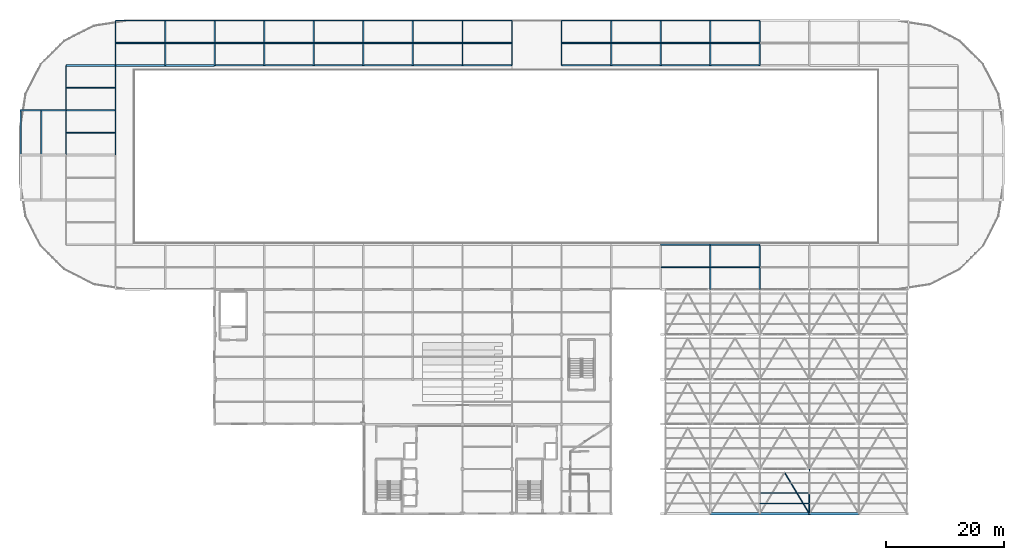
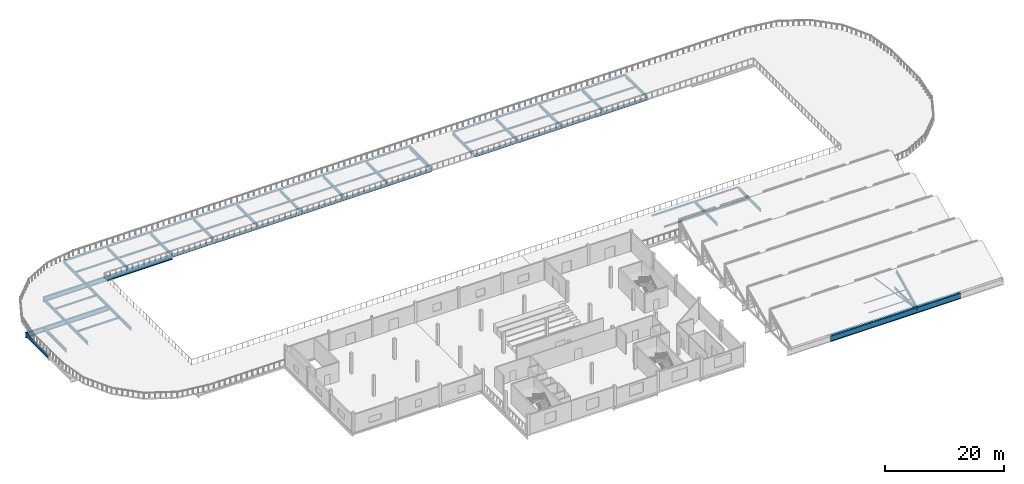
# One storey, part 21 of 57: 67 beams, 5 members.
"""IFC4 building model written with IfcOpenShell, lengths in metres."""

from ifc_helpers import new_model, si_unit, direction, frame, origin, origin_2d, place, context, subcontext, project, spatial, hollow_rectangle, hollow_circle, i_section, extrude, material, material_profile, profile_set, type_object, element, save


model = new_model("IFC4")

# Units and contexts
model_context = context("Model", 3, precision=1e-05, world=origin(), true_north=direction((0.0, 1.0)))
body_context = subcontext(model_context, "Body", "Model", "MODEL_VIEW")
ifc_project = project(units=[si_unit("LENGTHUNIT", "METRE"), si_unit("AREAUNIT", "SQUARE_METRE"), si_unit("VOLUMEUNIT", "CUBIC_METRE"), si_unit("PLANEANGLEUNIT", "RADIAN"), si_unit("MASSUNIT", "GRAM", prefix="KILO")], contexts=[model_context])

# Site, building, storey
site_placement = place(None, origin())
site = spatial("IfcSite", under=ifc_project, at=site_placement, CompositionType="ELEMENT")
building_placement = place(site_placement, origin())
building = spatial("IfcBuilding", under=site, at=building_placement, Name="Zuvorla Pavilion Media Centre", CompositionType="ELEMENT")
storey_placement = place(building_placement, frame((0.0, 0.0, 18.0)))
storey = spatial("IfcBuildingStorey", under=building, at=storey_placement, Name="L04", CompositionType="ELEMENT", Elevation=18.0)

# Beams
ifc_material = material(Name="Steel S355", Category="steel")
ifc_material_profile_1 = material_profile(ifc_material, i_section(OverallWidth=0.360107421875, OverallDepth=1.199951171875, WebThickness=0.02001953125, FlangeThickness=0.0380859375, FilletRadius=0.02392578125, at=origin_2d()), Name="PG 1200x360x38")
ifc_profile_set_1 = profile_set([ifc_material_profile_1], Name="Steel S355")
beam_type_1 = type_object("IfcBeamType", Name="BM-PG1200", PredefinedType="BEAM", material=ifc_profile_set_1)
beam_1_placement = place(storey_placement, frame((125.60009765625, 6.0, -0.887939453125), z_axis=(1.0, 0.0, 0.0), x_axis=(0.0, 1.0, 0.0)))
element("IfcBeam", 1, at=beam_1_placement, inside=storey, type_object=beam_type_1, Name="L04 beam B01 1815", PredefinedType="BEAM", context=body_context, shape_type="SweptSolid", body=[
    extrude(i_section(OverallWidth=0.360107421875, OverallDepth=1.199951171875, WebThickness=0.02001953125, FlangeThickness=0.0380859375, FilletRadius=0.02392578125, at=origin_2d()), origin(), (0.0, 0.0, 1.0), 25.199951171875),
])
ifc_material_profile_2 = material_profile(ifc_material, hollow_rectangle(XDim=0.199951171875, YDim=0.300048828125, WallThickness=0.012451171875, at=origin_2d()), Name="RHS 300x200x12.5")
ifc_profile_set_2 = profile_set([ifc_material_profile_2], Name="Steel S355")
beam_type_2 = type_object("IfcBeamType", Name="BM-SP-RHS300", PredefinedType="SPANDREL", material=ifc_profile_set_2)
beam_2_placement = place(storey_placement, frame((117.199951171875, 51.60009765625, -0.39794921875), z_axis=(1.0, 0.0, 0.0), x_axis=(0.0, 1.0, 0.0)))
element("IfcBeam", 2, at=beam_2_placement, inside=storey, type_object=beam_type_2, Name="L04 spandrel SP01 1346", PredefinedType="SPANDREL", context=body_context, shape_type="SweptSolid", body=[
    extrude(hollow_rectangle(XDim=0.199951171875, YDim=0.300048828125, WallThickness=0.012451171875, at=origin_2d()), origin(), (0.0, 0.0, 1.0), 8.400146484375),
])
for number, where, z_axis, x_axis, name in (
    (3, (125.60009765625, 51.60009765625, -0.39794921875), (1.0, 0.0, 0.0), (0.0, 1.0, 0.0), "L04 spandrel SP01 1347"),
    (4, (24.800048828125, 89.60009765625, -0.39794921875), (1.0, 0.0, 0.0), (0.0, 1.0, 0.0), "L04 spandrel SP01 1375"),
):
    element("IfcBeam", number, at=place(storey_placement, frame(where, z_axis=z_axis, x_axis=x_axis)), inside=storey, type_object=beam_type_2, Name=name, PredefinedType="SPANDREL", context=body_context, shape_type="SweptSolid", body=[
        extrude(hollow_rectangle(XDim=0.199951171875, YDim=0.300048828125, WallThickness=0.012451171875, at=origin_2d()), origin(), (0.0, 0.0, 1.0), 8.39990234375),
    ])
beam_3_placement = place(storey_placement, frame((33.199951171875, 89.60009765625, -0.39794921875), z_axis=(1.0, 0.0, 0.0), x_axis=(0.0, 1.0, 0.0)))
element("IfcBeam", 5, at=beam_3_placement, inside=storey, type_object=beam_type_2, Name="L04 spandrel SP01 1376", PredefinedType="SPANDREL", context=body_context, shape_type="SweptSolid", body=[
    extrude(hollow_rectangle(XDim=0.199951171875, YDim=0.300048828125, WallThickness=0.012451171875, at=origin_2d()), origin(), (0.0, 0.0, 1.0), 8.400146484375),
])
for number, where, z_axis, x_axis, name in (
    (6, (41.60009765625, 89.60009765625, -0.39794921875), (1.0, 0.0, 0.0), (0.0, 1.0, 0.0), "L04 spandrel SP01 1377"),
    (7, (50.0, 89.60009765625, -0.39794921875), (1.0, 0.0, 0.0), (0.0, 1.0, 0.0), "L04 spandrel SP01 1378"),
):
    element("IfcBeam", number, at=place(storey_placement, frame(where, z_axis=z_axis, x_axis=x_axis)), inside=storey, type_object=beam_type_2, Name=name, PredefinedType="SPANDREL", context=body_context, shape_type="SweptSolid", body=[
        extrude(hollow_rectangle(XDim=0.199951171875, YDim=0.300048828125, WallThickness=0.012451171875, at=origin_2d()), origin(), (0.0, 0.0, 1.0), 8.39990234375),
    ])
beam_4_placement = place(storey_placement, frame((58.39990234375, 89.60009765625, -0.39794921875), z_axis=(1.0, 0.0, 0.0), x_axis=(0.0, 1.0, 0.0)))
element("IfcBeam", 8, at=beam_4_placement, inside=storey, type_object=beam_type_2, Name="L04 spandrel SP01 1379", PredefinedType="SPANDREL", context=body_context, shape_type="SweptSolid", body=[
    extrude(hollow_rectangle(XDim=0.199951171875, YDim=0.300048828125, WallThickness=0.012451171875, at=origin_2d()), origin(), (0.0, 0.0, 1.0), 8.400146484375),
])
beam_5_placement = place(storey_placement, frame((66.800048828125, 89.60009765625, -0.39794921875), z_axis=(1.0, 0.0, 0.0), x_axis=(0.0, 1.0, 0.0)))
element("IfcBeam", 9, at=beam_5_placement, inside=storey, type_object=beam_type_2, Name="L04 spandrel SP01 1380", PredefinedType="SPANDREL", context=body_context, shape_type="SweptSolid", body=[
    extrude(hollow_rectangle(XDim=0.199951171875, YDim=0.300048828125, WallThickness=0.012451171875, at=origin_2d()), origin(), (0.0, 0.0, 1.0), 8.39990234375),
])
beam_6_placement = place(storey_placement, frame((75.199951171875, 89.60009765625, -0.39794921875), z_axis=(1.0, 0.0, 0.0), x_axis=(0.0, 1.0, 0.0)))
element("IfcBeam", 10, at=beam_6_placement, inside=storey, type_object=beam_type_2, Name="L04 spandrel SP01 1381", PredefinedType="SPANDREL", context=body_context, shape_type="SweptSolid", body=[
    extrude(hollow_rectangle(XDim=0.199951171875, YDim=0.300048828125, WallThickness=0.012451171875, at=origin_2d()), origin(), (0.0, 0.0, 1.0), 8.400146484375),
])
beam_7_placement = place(storey_placement, frame((83.60009765625, 89.60009765625, -0.39794921875), z_axis=(1.0, 0.0, 0.0), x_axis=(0.0, 1.0, 0.0)))
element("IfcBeam", 11, at=beam_7_placement, inside=storey, type_object=beam_type_2, Name="L04 spandrel SP01 1382", PredefinedType="SPANDREL", context=body_context, shape_type="SweptSolid", body=[
    extrude(hollow_rectangle(XDim=0.199951171875, YDim=0.300048828125, WallThickness=0.012451171875, at=origin_2d()), origin(), (0.0, 0.0, 1.0), 8.39990234375),
])
beam_8_placement = place(storey_placement, frame((100.39990234375, 89.60009765625, -0.39794921875), z_axis=(1.0, 0.0, 0.0), x_axis=(0.0, 1.0, 0.0)))
element("IfcBeam", 12, at=beam_8_placement, inside=storey, type_object=beam_type_2, Name="L04 spandrel SP01 1383", PredefinedType="SPANDREL", context=body_context, shape_type="SweptSolid", body=[
    extrude(hollow_rectangle(XDim=0.199951171875, YDim=0.300048828125, WallThickness=0.012451171875, at=origin_2d()), origin(), (0.0, 0.0, 1.0), 8.400146484375),
])
beam_9_placement = place(storey_placement, frame((108.800048828125, 89.60009765625, -0.39794921875), z_axis=(1.0, 0.0, 0.0), x_axis=(0.0, 1.0, 0.0)))
element("IfcBeam", 13, at=beam_9_placement, inside=storey, type_object=beam_type_2, Name="L04 spandrel SP01 1384", PredefinedType="SPANDREL", context=body_context, shape_type="SweptSolid", body=[
    extrude(hollow_rectangle(XDim=0.199951171875, YDim=0.300048828125, WallThickness=0.012451171875, at=origin_2d()), origin(), (0.0, 0.0, 1.0), 8.39990234375),
])
beam_10_placement = place(storey_placement, frame((117.199951171875, 89.60009765625, -0.39794921875), z_axis=(1.0, 0.0, 0.0), x_axis=(0.0, 1.0, 0.0)))
element("IfcBeam", 14, at=beam_10_placement, inside=storey, type_object=beam_type_2, Name="L04 spandrel SP01 1385", PredefinedType="SPANDREL", context=body_context, shape_type="SweptSolid", body=[
    extrude(hollow_rectangle(XDim=0.199951171875, YDim=0.300048828125, WallThickness=0.012451171875, at=origin_2d()), origin(), (0.0, 0.0, 1.0), 8.400146484375),
])
beam_11_placement = place(storey_placement, frame((125.60009765625, 89.60009765625, -0.39794921875), z_axis=(1.0, 0.0, 0.0), x_axis=(0.0, 1.0, 0.0)))
element("IfcBeam", 15, at=beam_11_placement, inside=storey, type_object=beam_type_2, Name="L04 spandrel SP01 1386", PredefinedType="SPANDREL", context=body_context, shape_type="SweptSolid", body=[
    extrude(hollow_rectangle(XDim=0.199951171875, YDim=0.300048828125, WallThickness=0.012451171875, at=origin_2d()), origin(), (0.0, 0.0, 1.0), 8.39990234375),
])
ifc_material_profile_3 = material_profile(ifc_material, i_section(OverallWidth=0.302001953125, OverallDepth=1.008056640625, WebThickness=0.02099609375, FlangeThickness=0.0400390625, FilletRadius=0.030029296875, at=origin_2d()), Name="UB 1016x305x349")
ifc_profile_set_3 = profile_set([ifc_material_profile_3], Name="Steel S355")
beam_type_3 = type_object("IfcBeamType", Name="BM-UB1016", PredefinedType="BEAM", material=ifc_profile_set_3)
beam_12_placement = place(storey_placement, frame((41.60009765625, 82.0, -0.751953125), z_axis=(-1.0, 0.0, 0.0), x_axis=(0.0, -1.0, 0.0)))
element("IfcBeam", 16, at=beam_12_placement, inside=storey, type_object=beam_type_3, Name="L04 beam B02 1723", PredefinedType="BEAM", context=body_context, shape_type="SweptSolid", body=[
    extrude(i_section(OverallWidth=0.302001953125, OverallDepth=1.008056640625, WebThickness=0.02099609375, FlangeThickness=0.0400390625, FilletRadius=0.030029296875, at=origin_2d()), origin(), (0.0, 0.0, 1.0), 25.2001953125),
])
beam_13_placement = place(storey_placement, frame((24.800048828125, 74.39990234375, -0.751953125), z_axis=(-1.0, 0.0, 0.0), x_axis=(0.0, -1.0, 0.0)))
element("IfcBeam", 17, at=beam_13_placement, inside=storey, type_object=beam_type_3, Name="L04 beam B02 1737", PredefinedType="BEAM", context=body_context, shape_type="SweptSolid", body=[
    extrude(i_section(OverallWidth=0.302001953125, OverallDepth=1.008056640625, WebThickness=0.02099609375, FlangeThickness=0.0400390625, FilletRadius=0.030029296875, at=origin_2d()), origin(), (0.0, 0.0, 1.0), 8.400146484375),
])
beam_14_placement = place(storey_placement, frame((16.39990234375, 74.39990234375, -0.751953125), z_axis=(-1.0, 0.0, 0.0), x_axis=(0.0, -1.0, 0.0)))
element("IfcBeam", 18, at=beam_14_placement, inside=storey, type_object=beam_type_3, Name="L04 beam B02 1738", PredefinedType="BEAM", context=body_context, shape_type="SweptSolid", body=[
    extrude(i_section(OverallWidth=0.302001953125, OverallDepth=1.008056640625, WebThickness=0.02099609375, FlangeThickness=0.0400390625, FilletRadius=0.030029296875, at=origin_2d()), origin(), (0.0, 0.0, 1.0), 4.199951171875),
])
beam_15_placement = place(storey_placement, frame((12.199951171875, 74.39990234375, -0.751953125), z_axis=(-1.0, 0.0, 0.0), x_axis=(0.0, -1.0, 0.0)))
element("IfcBeam", 19, at=beam_15_placement, inside=storey, type_object=beam_type_3, Name="L04 beam B02 1739", PredefinedType="BEAM", context=body_context, shape_type="SweptSolid", body=[
    extrude(i_section(OverallWidth=0.302001953125, OverallDepth=1.008056640625, WebThickness=0.02099609375, FlangeThickness=0.0400390625, FilletRadius=0.030029296875, at=origin_2d()), origin(), (0.0, 0.0, 1.0), 3.599853515625),
])
ifc_material_profile_4 = material_profile(ifc_material, i_section(OverallWidth=0.172119140625, OverallDepth=0.35791015625, WebThickness=0.008056640625, FlangeThickness=0.012939453125, FilletRadius=0.01025390625, at=origin_2d()), Name="UB 356x171x57")
ifc_profile_set_4 = profile_set([ifc_material_profile_4], Name="Steel S355")
beam_type_4 = type_object("IfcBeamType", Name="BM-UB356", PredefinedType="JOIST", material=ifc_profile_set_4)
for number, where, z_axis, x_axis, name in (
    (20, (16.509521484375, 70.60009765625, -0.427001953125), (1.0, 0.0, 0.0), (0.0, 1.0, 0.0), "L04 joist J03 1478"),
    (21, (16.509521484375, 78.199951171875, -0.427001953125), (1.0, 0.0, 0.0), (0.0, 1.0, 0.0), "L04 joist J03 1479"),
):
    element("IfcBeam", number, at=place(storey_placement, frame(where, z_axis=z_axis, x_axis=x_axis)), inside=storey, type_object=beam_type_4, Name=name, PredefinedType="JOIST", context=body_context, shape_type="SweptSolid", body=[
        extrude(i_section(OverallWidth=0.172119140625, OverallDepth=0.35791015625, WebThickness=0.008056640625, FlangeThickness=0.012939453125, FilletRadius=0.01025390625, at=origin_2d()), origin(), (0.0, 0.0, 1.0), 8.180908203125),
    ])
beam_16_placement = place(storey_placement, frame((24.909423828125, 85.800048828125, -0.427001953125), z_axis=(1.0, 0.0, 0.0), x_axis=(0.0, 1.0, 0.0)))
element("IfcBeam", 22, at=beam_16_placement, inside=storey, type_object=beam_type_4, Name="L04 joist J03 1481", PredefinedType="JOIST", context=body_context, shape_type="SweptSolid", body=[
    extrude(i_section(OverallWidth=0.172119140625, OverallDepth=0.35791015625, WebThickness=0.008056640625, FlangeThickness=0.012939453125, FilletRadius=0.01025390625, at=origin_2d()), origin(), (0.0, 0.0, 1.0), 8.18115234375),
])
for number, where, z_axis, x_axis, name in (
    (23, (33.3095703125, 85.800048828125, -0.427001953125), (1.0, 0.0, 0.0), (0.0, 1.0, 0.0), "L04 joist J03 1483"),
    (24, (41.70947265625, 85.800048828125, -0.427001953125), (1.0, 0.0, 0.0), (0.0, 1.0, 0.0), "L04 joist J03 1487"),
    (25, (50.109619140625, 85.800048828125, -0.427001953125), (1.0, 0.0, 0.0), (0.0, 1.0, 0.0), "L04 joist J03 1492"),
    (26, (58.509521484375, 85.800048828125, -0.427001953125), (1.0, 0.0, 0.0), (0.0, 1.0, 0.0), "L04 joist J03 1497"),
):
    element("IfcBeam", number, at=place(storey_placement, frame(where, z_axis=z_axis, x_axis=x_axis)), inside=storey, type_object=beam_type_4, Name=name, PredefinedType="JOIST", context=body_context, shape_type="SweptSolid", body=[
        extrude(i_section(OverallWidth=0.172119140625, OverallDepth=0.35791015625, WebThickness=0.008056640625, FlangeThickness=0.012939453125, FilletRadius=0.01025390625, at=origin_2d()), origin(), (0.0, 0.0, 1.0), 8.180908203125),
    ])
beam_17_placement = place(storey_placement, frame((66.909423828125, 85.800048828125, -0.427001953125), z_axis=(1.0, 0.0, 0.0), x_axis=(0.0, 1.0, 0.0)))
element("IfcBeam", 27, at=beam_17_placement, inside=storey, type_object=beam_type_4, Name="L04 joist J03 1501", PredefinedType="JOIST", context=body_context, shape_type="SweptSolid", body=[
    extrude(i_section(OverallWidth=0.172119140625, OverallDepth=0.35791015625, WebThickness=0.008056640625, FlangeThickness=0.012939453125, FilletRadius=0.01025390625, at=origin_2d()), origin(), (0.0, 0.0, 1.0), 8.18115234375),
])
for number, where, z_axis, x_axis, name in (
    (28, (75.3095703125, 85.800048828125, -0.427001953125), (1.0, 0.0, 0.0), (0.0, 1.0, 0.0), "L04 joist J03 1505"),
    (29, (83.70947265625, 85.800048828125, -0.427001953125), (1.0, 0.0, 0.0), (0.0, 1.0, 0.0), "L04 joist J03 1512"),
    (30, (100.509521484375, 85.800048828125, -0.427001953125), (1.0, 0.0, 0.0), (0.0, 1.0, 0.0), "L04 joist J03 1522"),
):
    element("IfcBeam", number, at=place(storey_placement, frame(where, z_axis=z_axis, x_axis=x_axis)), inside=storey, type_object=beam_type_4, Name=name, PredefinedType="JOIST", context=body_context, shape_type="SweptSolid", body=[
        extrude(i_section(OverallWidth=0.172119140625, OverallDepth=0.35791015625, WebThickness=0.008056640625, FlangeThickness=0.012939453125, FilletRadius=0.01025390625, at=origin_2d()), origin(), (0.0, 0.0, 1.0), 8.180908203125),
    ])
beam_18_placement = place(storey_placement, frame((108.909423828125, 85.800048828125, -0.427001953125), z_axis=(1.0, 0.0, 0.0), x_axis=(0.0, 1.0, 0.0)))
element("IfcBeam", 31, at=beam_18_placement, inside=storey, type_object=beam_type_4, Name="L04 joist J03 1524", PredefinedType="JOIST", context=body_context, shape_type="SweptSolid", body=[
    extrude(i_section(OverallWidth=0.172119140625, OverallDepth=0.35791015625, WebThickness=0.008056640625, FlangeThickness=0.012939453125, FilletRadius=0.01025390625, at=origin_2d()), origin(), (0.0, 0.0, 1.0), 8.18115234375),
])
for number, where, z_axis, x_axis, name in (
    (32, (117.3095703125, 47.800048828125, -0.427001953125), (1.0, 0.0, 0.0), (0.0, 1.0, 0.0), "L04 joist J03 1525"),
    (33, (117.3095703125, 85.800048828125, -0.427001953125), (1.0, 0.0, 0.0), (0.0, 1.0, 0.0), "L04 joist J03 1526"),
    (34, (125.70947265625, 47.800048828125, -0.427001953125), (1.0, 0.0, 0.0), (0.0, 1.0, 0.0), "L04 joist J03 1527"),
    (35, (125.70947265625, 85.800048828125, -0.427001953125), (1.0, 0.0, 0.0), (0.0, 1.0, 0.0), "L04 joist J03 1528"),
):
    element("IfcBeam", number, at=place(storey_placement, frame(where, z_axis=z_axis, x_axis=x_axis)), inside=storey, type_object=beam_type_4, Name=name, PredefinedType="JOIST", context=body_context, shape_type="SweptSolid", body=[
        extrude(i_section(OverallWidth=0.172119140625, OverallDepth=0.35791015625, WebThickness=0.008056640625, FlangeThickness=0.012939453125, FilletRadius=0.01025390625, at=origin_2d()), origin(), (0.0, 0.0, 1.0), 8.180908203125),
    ])
ifc_material_profile_5 = material_profile(ifc_material, i_section(OverallWidth=0.22900390625, OverallDepth=0.6123046875, WebThickness=0.011962890625, FlangeThickness=0.01953125, FilletRadius=0.0126953125, at=origin_2d()), Name="UB 610x229x125")
ifc_profile_set_5 = profile_set([ifc_material_profile_5], Name="Steel S355")
beam_type_5 = type_object("IfcBeamType", Name="BM-UB610", PredefinedType="BEAM", material=ifc_profile_set_5)
for number, where, z_axis, x_axis, name in (
    (36, (41.60009765625, 82.0, -0.55419921875), (1.0, 0.0, 0.0), (0.0, 1.0, 0.0), "L04 beam B07 1361"),
    (37, (50.0, 82.0, -0.55419921875), (1.0, 0.0, 0.0), (0.0, 1.0, 0.0), "L04 beam B07 1362"),
):
    element("IfcBeam", number, at=place(storey_placement, frame(where, z_axis=z_axis, x_axis=x_axis)), inside=storey, type_object=beam_type_5, Name=name, PredefinedType="BEAM", context=body_context, shape_type="SweptSolid", body=[
        extrude(i_section(OverallWidth=0.22900390625, OverallDepth=0.6123046875, WebThickness=0.011962890625, FlangeThickness=0.01953125, FilletRadius=0.0126953125, at=origin_2d()), origin(), (0.0, 0.0, 1.0), 8.39990234375),
    ])
beam_19_placement = place(storey_placement, frame((58.39990234375, 82.0, -0.55419921875), z_axis=(1.0, 0.0, 0.0), x_axis=(0.0, 1.0, 0.0)))
element("IfcBeam", 38, at=beam_19_placement, inside=storey, type_object=beam_type_5, Name="L04 beam B07 1363", PredefinedType="BEAM", context=body_context, shape_type="SweptSolid", body=[
    extrude(i_section(OverallWidth=0.22900390625, OverallDepth=0.6123046875, WebThickness=0.011962890625, FlangeThickness=0.01953125, FilletRadius=0.0126953125, at=origin_2d()), origin(), (0.0, 0.0, 1.0), 8.400146484375),
])
beam_20_placement = place(storey_placement, frame((66.800048828125, 82.0, -0.55419921875), z_axis=(1.0, 0.0, 0.0), x_axis=(0.0, 1.0, 0.0)))
element("IfcBeam", 39, at=beam_20_placement, inside=storey, type_object=beam_type_5, Name="L04 beam B07 1364", PredefinedType="BEAM", context=body_context, shape_type="SweptSolid", body=[
    extrude(i_section(OverallWidth=0.22900390625, OverallDepth=0.6123046875, WebThickness=0.011962890625, FlangeThickness=0.01953125, FilletRadius=0.0126953125, at=origin_2d()), origin(), (0.0, 0.0, 1.0), 8.39990234375),
])
beam_21_placement = place(storey_placement, frame((75.199951171875, 82.0, -0.55419921875), z_axis=(1.0, 0.0, 0.0), x_axis=(0.0, 1.0, 0.0)))
element("IfcBeam", 40, at=beam_21_placement, inside=storey, type_object=beam_type_5, Name="L04 beam B07 1365", PredefinedType="BEAM", context=body_context, shape_type="SweptSolid", body=[
    extrude(i_section(OverallWidth=0.22900390625, OverallDepth=0.6123046875, WebThickness=0.011962890625, FlangeThickness=0.01953125, FilletRadius=0.0126953125, at=origin_2d()), origin(), (0.0, 0.0, 1.0), 8.400146484375),
])
beam_22_placement = place(storey_placement, frame((83.60009765625, 82.0, -0.55419921875), z_axis=(1.0, 0.0, 0.0), x_axis=(0.0, 1.0, 0.0)))
element("IfcBeam", 41, at=beam_22_placement, inside=storey, type_object=beam_type_5, Name="L04 beam B07 1366", PredefinedType="BEAM", context=body_context, shape_type="SweptSolid", body=[
    extrude(i_section(OverallWidth=0.22900390625, OverallDepth=0.6123046875, WebThickness=0.011962890625, FlangeThickness=0.01953125, FilletRadius=0.0126953125, at=origin_2d()), origin(), (0.0, 0.0, 1.0), 8.39990234375),
])
beam_23_placement = place(storey_placement, frame((100.39990234375, 82.0, -0.55419921875), z_axis=(1.0, 0.0, 0.0), x_axis=(0.0, 1.0, 0.0)))
element("IfcBeam", 42, at=beam_23_placement, inside=storey, type_object=beam_type_5, Name="L04 beam B07 1367", PredefinedType="BEAM", context=body_context, shape_type="SweptSolid", body=[
    extrude(i_section(OverallWidth=0.22900390625, OverallDepth=0.6123046875, WebThickness=0.011962890625, FlangeThickness=0.01953125, FilletRadius=0.0126953125, at=origin_2d()), origin(), (0.0, 0.0, 1.0), 8.400146484375),
])
beam_24_placement = place(storey_placement, frame((108.800048828125, 82.0, -0.55419921875), z_axis=(1.0, 0.0, 0.0), x_axis=(0.0, 1.0, 0.0)))
element("IfcBeam", 43, at=beam_24_placement, inside=storey, type_object=beam_type_5, Name="L04 beam B07 1368", PredefinedType="BEAM", context=body_context, shape_type="SweptSolid", body=[
    extrude(i_section(OverallWidth=0.22900390625, OverallDepth=0.6123046875, WebThickness=0.011962890625, FlangeThickness=0.01953125, FilletRadius=0.0126953125, at=origin_2d()), origin(), (0.0, 0.0, 1.0), 8.39990234375),
])
beam_25_placement = place(storey_placement, frame((117.199951171875, 82.0, -0.55419921875), z_axis=(1.0, 0.0, 0.0), x_axis=(0.0, 1.0, 0.0)))
element("IfcBeam", 44, at=beam_25_placement, inside=storey, type_object=beam_type_5, Name="L04 beam B07 1369", PredefinedType="BEAM", context=body_context, shape_type="SweptSolid", body=[
    extrude(i_section(OverallWidth=0.22900390625, OverallDepth=0.6123046875, WebThickness=0.011962890625, FlangeThickness=0.01953125, FilletRadius=0.0126953125, at=origin_2d()), origin(), (0.0, 0.0, 1.0), 8.400146484375),
])
beam_26_placement = place(storey_placement, frame((125.60009765625, 82.0, -0.55419921875), z_axis=(1.0, 0.0, 0.0), x_axis=(0.0, 1.0, 0.0)))
element("IfcBeam", 45, at=beam_26_placement, inside=storey, type_object=beam_type_5, Name="L04 beam B07 1370", PredefinedType="BEAM", context=body_context, shape_type="SweptSolid", body=[
    extrude(i_section(OverallWidth=0.22900390625, OverallDepth=0.6123046875, WebThickness=0.011962890625, FlangeThickness=0.01953125, FilletRadius=0.0126953125, at=origin_2d()), origin(), (0.0, 0.0, 1.0), 8.39990234375),
])
beam_27_placement = place(storey_placement, frame((16.39990234375, 66.800048828125, -0.55419921875), z_axis=(0.0, 1.0, 0.0), x_axis=(-1.0, 0.0, 0.0)))
element("IfcBeam", 46, at=beam_27_placement, inside=storey, type_object=beam_type_5, Name="L04 beam B07 1392", PredefinedType="BEAM", context=body_context, shape_type="SweptSolid", body=[
    extrude(i_section(OverallWidth=0.22900390625, OverallDepth=0.6123046875, WebThickness=0.011962890625, FlangeThickness=0.01953125, FilletRadius=0.0126953125, at=origin_2d()), origin(), (0.0, 0.0, 1.0), 7.599853515625),
])
beam_28_placement = place(storey_placement, frame((16.39990234375, 74.39990234375, -0.55419921875), z_axis=(0.0, 1.0, 0.0), x_axis=(-1.0, 0.0, 0.0)))
element("IfcBeam", 47, at=beam_28_placement, inside=storey, type_object=beam_type_5, Name="L04 beam B07 1393", PredefinedType="BEAM", context=body_context, shape_type="SweptSolid", body=[
    extrude(i_section(OverallWidth=0.22900390625, OverallDepth=0.6123046875, WebThickness=0.011962890625, FlangeThickness=0.01953125, FilletRadius=0.0126953125, at=origin_2d()), origin(), (0.0, 0.0, 1.0), 7.60009765625),
])
beam_29_placement = place(storey_placement, frame((24.800048828125, 66.800048828125, -0.55419921875), z_axis=(0.0, 1.0, 0.0), x_axis=(-1.0, 0.0, 0.0)))
element("IfcBeam", 48, at=beam_29_placement, inside=storey, type_object=beam_type_5, Name="L04 beam B07 1397", PredefinedType="BEAM", context=body_context, shape_type="SweptSolid", body=[
    extrude(i_section(OverallWidth=0.22900390625, OverallDepth=0.6123046875, WebThickness=0.011962890625, FlangeThickness=0.01953125, FilletRadius=0.0126953125, at=origin_2d()), origin(), (0.0, 0.0, 1.0), 7.599853515625),
])
for number, where, z_axis, x_axis, name in (
    (49, (24.800048828125, 74.39990234375, -0.55419921875), (0.0, 1.0, 0.0), (-1.0, 0.0, 0.0), "L04 beam B07 1398"),
    (50, (24.800048828125, 82.0, -0.55419921875), (0.0, 1.0, 0.0), (-1.0, 0.0, 0.0), "L04 beam B07 1399"),
    (51, (33.199951171875, 82.0, -0.55419921875), (0.0, 1.0, 0.0), (-1.0, 0.0, 0.0), "L04 beam B07 1401"),
    (52, (41.60009765625, 82.0, -0.55419921875), (0.0, 1.0, 0.0), (-1.0, 0.0, 0.0), "L04 beam B07 1406"),
    (53, (50.0, 82.0, -0.55419921875), (0.0, 1.0, 0.0), (-1.0, 0.0, 0.0), "L04 beam B07 1411"),
    (54, (58.39990234375, 82.0, -0.55419921875), (0.0, 1.0, 0.0), (-1.0, 0.0, 0.0), "L04 beam B07 1416"),
    (55, (66.800048828125, 82.0, -0.55419921875), (0.0, 1.0, 0.0), (-1.0, 0.0, 0.0), "L04 beam B07 1423"),
    (56, (75.199951171875, 82.0, -0.55419921875), (0.0, 1.0, 0.0), (-1.0, 0.0, 0.0), "L04 beam B07 1427"),
    (57, (83.60009765625, 82.0, -0.55419921875), (0.0, 1.0, 0.0), (-1.0, 0.0, 0.0), "L04 beam B07 1434"),
    (58, (92.0, 82.0, -0.55419921875), (0.0, 1.0, 0.0), (-1.0, 0.0, 0.0), "L04 beam B07 1441"),
    (59, (100.39990234375, 82.0, -0.55419921875), (0.0, 1.0, 0.0), (-1.0, 0.0, 0.0), "L04 beam B07 1448"),
    (60, (108.800048828125, 82.0, -0.55419921875), (0.0, 1.0, 0.0), (-1.0, 0.0, 0.0), "L04 beam B07 1455"),
    (61, (117.199951171875, 82.0, -0.55419921875), (0.0, 1.0, 0.0), (-1.0, 0.0, 0.0), "L04 beam B07 1457"),
    (62, (125.60009765625, 44.0, -0.55419921875), (0.0, 1.0, 0.0), (-1.0, 0.0, 0.0), "L04 beam B07 1458"),
    (63, (125.60009765625, 82.0, -0.55419921875), (0.0, 1.0, 0.0), (-1.0, 0.0, 0.0), "L04 beam B07 1459"),
    (64, (134.0, 44.0, -0.55419921875), (0.0, 1.0, 0.0), (-1.0, 0.0, 0.0), "L04 beam B07 1460"),
    (65, (134.0, 82.0, -0.55419921875), (0.0, 1.0, 0.0), (-1.0, 0.0, 0.0), "L04 beam B07 1461"),
):
    element("IfcBeam", number, at=place(storey_placement, frame(where, z_axis=z_axis, x_axis=x_axis)), inside=storey, type_object=beam_type_5, Name=name, PredefinedType="BEAM", context=body_context, shape_type="SweptSolid", body=[
        extrude(i_section(OverallWidth=0.22900390625, OverallDepth=0.6123046875, WebThickness=0.011962890625, FlangeThickness=0.01953125, FilletRadius=0.0126953125, at=origin_2d()), origin(), (0.0, 0.0, 1.0), 7.60009765625),
    ])
ifc_material_profile_6 = material_profile(ifc_material, i_section(OverallWidth=0.25439453125, OverallDepth=0.6875, WebThickness=0.01318359375, FlangeThickness=0.02099609375, FilletRadius=0.01513671875, at=origin_2d()), Name="UB 686x254x152")
ifc_profile_set_6 = profile_set([ifc_material_profile_6], Name="Steel S355")
beam_type_6 = type_object("IfcBeamType", Name="BM-UB686", PredefinedType="BEAM", material=ifc_profile_set_6)
for number, where, z_axis, x_axis, name in (
    (66, (12.199951171875, 66.800048828125, -0.591796875), (0.0, 1.0, 0.0), (-1.0, 0.0, 0.0), "L04 beam B06 1744"),
    (67, (8.72998046875, 66.800048828125, -0.591796875), (0.0, 1.0, 0.0), (-1.0, 0.0, 0.0), "L04 beam B06 1746"),
):
    element("IfcBeam", number, at=place(storey_placement, frame(where, z_axis=z_axis, x_axis=x_axis)), inside=storey, type_object=beam_type_6, Name=name, PredefinedType="BEAM", context=body_context, shape_type="SweptSolid", body=[
        extrude(i_section(OverallWidth=0.25439453125, OverallDepth=0.6875, WebThickness=0.01318359375, FlangeThickness=0.02099609375, FilletRadius=0.01513671875, at=origin_2d()), origin(), (0.0, 0.0, 1.0), 7.599853515625),
    ])

# Members
ifc_material_profile_7 = material_profile(ifc_material, hollow_circle(Radius=0.109619140625, WallThickness=0.010009765625, at=origin_2d()), Name="CHS 219.1x10")
ifc_profile_set_7 = profile_set([ifc_material_profile_7], Name="Steel S355")
member_type_1 = type_object("IfcMemberType", Name="MEM-BRC-CHS219", PredefinedType="BRACE", material=ifc_profile_set_7)
member_1_placement = place(storey_placement, frame((138.199951171875, 13.0, 2.882080078125), z_axis=(0.46726169892, -0.778778552081, -0.418533716135), x_axis=(0.857495564561, 0.514491357322, 0.0)))
element("IfcMember", 68, at=member_1_placement, inside=storey, type_object=member_type_1, Name="L04 diagonal brace TB02 542", PredefinedType="BRACE", context=body_context, shape_type="SweptSolid", body=[
    extrude(hollow_circle(Radius=0.109619140625, WallThickness=0.010009765625, at=origin_2d()), origin(), (0.0, 0.0, 1.0), 8.988525390625),
])
ifc_material_profile_8 = material_profile(ifc_material, i_section(OverallWidth=0.19140625, OverallDepth=0.4599609375, WebThickness=0.010009765625, FlangeThickness=0.01611328125, FilletRadius=0.01025390625, at=origin_2d()), Name="UB 457x191x82")
ifc_profile_set_8 = profile_set([ifc_material_profile_8], Name="Steel S355")
member_type_2 = type_object("IfcMemberType", Name="MEM-CHD-UB457", PredefinedType="CHORD", material=ifc_profile_set_8)
member_2_placement = place(storey_placement, frame((142.39990234375, 6.0, -0.8798828125), z_axis=(0.0, 1.0, 0.0), x_axis=(-1.0, 0.0, 0.0)))
element("IfcMember", 69, at=member_2_placement, inside=storey, type_object=member_type_2, Name="L04 chord TC03 513", PredefinedType="CHORD", context=body_context, shape_type="SweptSolid", body=[
    extrude(i_section(OverallWidth=0.19140625, OverallDepth=0.4599609375, WebThickness=0.010009765625, FlangeThickness=0.01611328125, FilletRadius=0.01025390625, at=origin_2d()), origin(), (0.0, 0.0, 1.0), 7.60009765625),
])
ifc_material_profile_9 = material_profile(ifc_material, i_section(OverallWidth=0.22900390625, OverallDepth=0.6123046875, WebThickness=0.011962890625, FlangeThickness=0.01953125, FilletRadius=0.0126953125, at=origin_2d()), Name="UB 610x229x125")
ifc_profile_set_9 = profile_set([ifc_material_profile_9], Name="Steel S355")
member_type_3 = type_object("IfcMemberType", Name="MEM-CHD-UB610", PredefinedType="CHORD", material=ifc_profile_set_9)
member_3_placement = place(storey_placement, frame((142.39990234375, 6.0, -0.517822265625), z_axis=(0.0, 0.899513090263, 0.436893809117), x_axis=(-1.0, 0.0, 0.0)))
element("IfcMember", 70, at=member_3_placement, inside=storey, type_object=member_type_3, Name="L04 chord TC01 514", PredefinedType="CHORD", context=body_context, shape_type="SweptSolid", body=[
    extrude(i_section(OverallWidth=0.22900390625, OverallDepth=0.6123046875, WebThickness=0.011962890625, FlangeThickness=0.01953125, FilletRadius=0.0126953125, at=origin_2d()), origin(), (0.0, 0.0, 1.0), 7.781982421875),
])
ifc_material_profile_10 = material_profile(ifc_material, hollow_rectangle(XDim=0.10009765625, YDim=0.199951171875, WallThickness=0.008056640625, at=origin_2d()), Name="RHS 200x100x8")
ifc_profile_set_10 = profile_set([ifc_material_profile_10], Name="Steel S355")
member_type_4 = type_object("IfcMemberType", Name="MEM-PUR-RHS200", PredefinedType="PURLIN", material=ifc_profile_set_10)
for number, where, z_axis, x_axis, name in (
    (71, (134.0, 7.75, 0.33203125), (1.0, 0.0, 0.0), (0.0, 1.0, 0.0), "L04 purlin PR01 543"),
    (72, (134.0, 9.5, 1.18212890625), (1.0, 0.0, 0.0), (0.0, 1.0, 0.0), "L04 purlin PR01 544"),
):
    element("IfcMember", number, at=place(storey_placement, frame(where, z_axis=z_axis, x_axis=x_axis)), inside=storey, type_object=member_type_4, Name=name, PredefinedType="PURLIN", context=body_context, shape_type="SweptSolid", body=[
        extrude(hollow_rectangle(XDim=0.10009765625, YDim=0.199951171875, WallThickness=0.008056640625, at=origin_2d()), origin(), (0.0, 0.0, 1.0), 8.39990234375),
    ])

save(model, "model.ifc")
